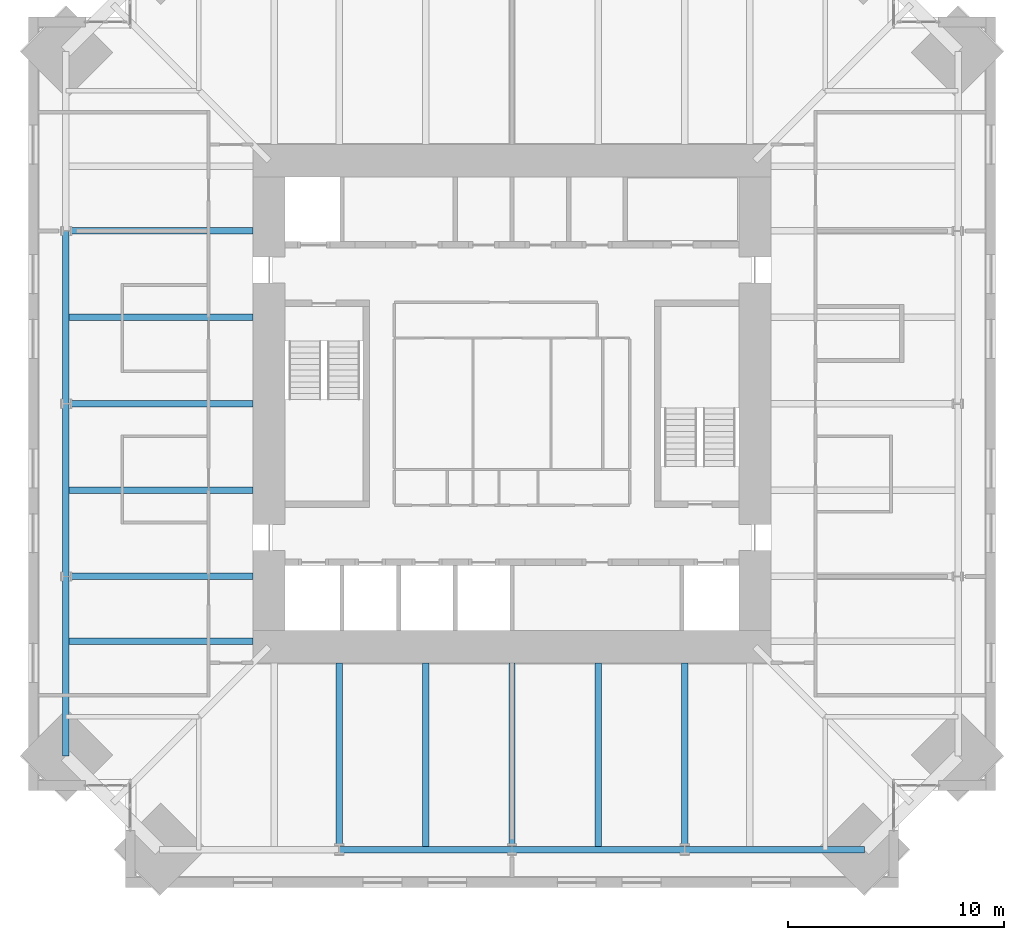
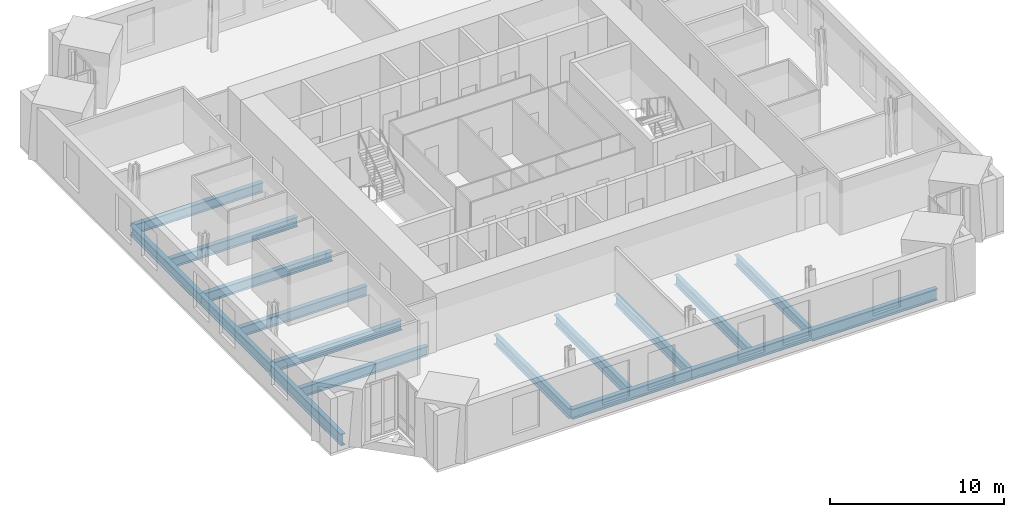
# One storey, part 3 of 17: 17 beams.
"""IFC4 building model written with IfcOpenShell, lengths in metres."""

import ifcopenshell
import ifcopenshell.guid

model = None  # the IFC model being written
_history = None  # IfcOwnerHistory: only IFC2X3 demands one
_inside = {}  # id of a spatial element -> (the spatial element, [elements in it])
_under = {}  # id of a project, library or spatial element -> (it, [spatial elements below it])
_declared = {}  # id of a project -> (the project, [libraries it declares])
_typed = {}  # id of a type object -> (the type object, [elements of that type])
_made_of = {}  # id of a material, layer set ... -> (it, [elements and type objects made of it])


def new_model(schema):
    """Start an empty IFC model of exactly this schema.

    Asked for "IFC4X3", IfcOpenShell would pick the latest addendum, in which some entities
    have other attributes; the version numbers below select the first issue.
    IFC2X3 requires an IfcOwnerHistory on every rooted entity: one is made here for all.
    """
    global model, _history
    if schema == "IFC4X3":
        model = ifcopenshell.file(schema_version=(4, 3, 0, 0))
    else:
        model = ifcopenshell.file(schema=schema)
    _inside.clear()
    _under.clear()
    _declared.clear()
    _typed.clear()
    _made_of.clear()
    _history = None
    if model.schema == "IFC2X3":
        org = make("IfcOrganization", Name="unknown")
        user = make(
            "IfcPersonAndOrganization",
            ThePerson=make("IfcPerson", FamilyName="unknown"),
            TheOrganization=org,
        )
        app = make(
            "IfcApplication",
            ApplicationDeveloper=org,
            Version="unknown",
            ApplicationFullName="unknown",
            ApplicationIdentifier="unknown",
        )
        _history = make(
            "IfcOwnerHistory",
            OwningUser=user,
            OwningApplication=app,
            ChangeAction="ADDED",
            CreationDate=0,
        )
    return model


def make(cls, **values):
    """One entity of the class cls with the attributes given. An attribute that is None is left unset."""
    return model.create_entity(
        cls, **{name: value for name, value in values.items() if value is not None}
    )


def rooted(cls, **values):
    """An entity with a GlobalId (a new one), such as an element, a storey or a relation."""
    return make(cls, GlobalId=ifcopenshell.guid.new(), OwnerHistory=_history, **values)


def si_unit(unit_type, name, prefix=None):
    """IfcSIUnit, for example si_unit("LENGTHUNIT", "METRE", prefix="MILLI")."""
    return make("IfcSIUnit", UnitType=unit_type, Prefix=prefix, Name=name)


def assignment(units):
    """IfcUnitAssignment: the units of a project."""
    return None if units is None else make("IfcUnitAssignment", Units=units)


def point(xyz):
    """IfcCartesianPoint."""
    return None if xyz is None else make("IfcCartesianPoint", Coordinates=xyz)


def direction(xyz):
    """IfcDirection."""
    return None if xyz is None else make("IfcDirection", DirectionRatios=xyz)


def frame(location, z_axis=None, x_axis=None):
    """IfcAxis2Placement3D, a coordinate frame: its origin and axes. An axis left out is left unset."""
    return make(
        "IfcAxis2Placement3D",
        Location=point(location),
        Axis=direction(z_axis),
        RefDirection=direction(x_axis),
    )


def frame_2d(location, x_axis=None):
    """IfcAxis2Placement2D, a coordinate frame in the plane: its origin and x axis."""
    return make(
        "IfcAxis2Placement2D", Location=point(location), RefDirection=direction(x_axis)
    )


def origin():
    """The frame at (0, 0, 0) with its axes left unset."""
    return frame((0.0, 0.0, 0.0))


def origin_2d():
    """The frame at (0, 0) in the plane with its x axis left unset."""
    return frame_2d((0.0, 0.0))


def place(relative_to, where):
    """IfcLocalPlacement: puts the frame where relative to a parent placement (None: the world)."""
    return make(
        "IfcLocalPlacement", PlacementRelTo=relative_to, RelativePlacement=where
    )


def context(
    kind, dimensions, precision=None, world=None, true_north=None, identifier=None
):
    """IfcGeometricRepresentationContext, for example the 3D "Model" context."""
    return make(
        "IfcGeometricRepresentationContext",
        ContextIdentifier=identifier,
        ContextType=kind,
        CoordinateSpaceDimension=dimensions,
        Precision=precision,
        WorldCoordinateSystem=world,
        TrueNorth=true_north,
    )


def subcontext(parent, identifier, kind, view, scale=None):
    """IfcGeometricRepresentationSubContext, for example "Body" below "Model"."""
    return make(
        "IfcGeometricRepresentationSubContext",
        ContextIdentifier=identifier,
        ContextType=kind,
        ParentContext=parent,
        TargetScale=scale,
        TargetView=view,
    )


def project(units=None, contexts=None):
    """IfcProject with its units and contexts."""
    return rooted(
        "IfcProject",
        Name="project",
        RepresentationContexts=contexts,
        UnitsInContext=assignment(units),
    )


def spatial(cls, under=None, at=None, **own):
    """A site, building, storey or space (cls), placed at a placement, below another one or the project."""
    s = rooted(cls, ObjectPlacement=at, **own)
    if under is not None:
        _under.setdefault(under.id(), (under, []))[1].append(s)
    return s


def profile(cls, at=None, kind="AREA", **sizes):
    """A parametric profile (cls). Its sizes go by their IFC names, for example OverallWidth=200.0."""
    return make(cls, ProfileType=kind, Position=at, **sizes)


def i_section(**sizes):
    """IfcIShapeProfileDef."""
    return profile("IfcIShapeProfileDef", **sizes)


def extrude(swept, where, along, depth):
    """IfcExtrudedAreaSolid: the profile swept, set in the frame where, extruded along a direction by depth."""
    return make(
        "IfcExtrudedAreaSolid",
        SweptArea=swept,
        Position=where,
        ExtrudedDirection=direction(along),
        Depth=depth,
    )


def shape(context_of_items, identifier, shape_type, items):
    """IfcShapeRepresentation: the items that make up one representation, for example the "Body"."""
    return make(
        "IfcShapeRepresentation",
        ContextOfItems=context_of_items,
        RepresentationIdentifier=identifier,
        RepresentationType=shape_type,
        Items=items,
    )


def material(Name=None, Category=None):
    """IfcMaterial."""
    return make("IfcMaterial", Name=Name, Category=Category)


def material_profile(
    of_material, cross_section, Name=None, Category=None, Priority=None
):
    """IfcMaterialProfile: a cross section and its material."""
    return make(
        "IfcMaterialProfile",
        Name=Name,
        Material=of_material,
        Profile=cross_section,
        Priority=Priority,
        Category=Category,
    )


def profile_set(profiles, Name=None, composite=None):
    """IfcMaterialProfileSet."""
    return make(
        "IfcMaterialProfileSet",
        Name=Name,
        MaterialProfiles=profiles,
        CompositeProfile=composite,
    )


def made_of(thing, what):
    """Note that an element or type object is made of a material, layer set ...; save() writes the relation."""
    if what is not None:
        _made_of.setdefault(what.id(), (what, []))[1].append(thing)
    return thing


def type_object(cls, material=None, **own):
    """A type object (cls), such as IfcWallType, which elements share."""
    return made_of(rooted(cls, **own), material)


def element(
    cls,
    number,
    at=None,
    inside=None,
    cuts=None,
    type_object=None,
    material=None,
    context=None,
    identifier="Body",
    shape_type=None,
    held_by="IfcProductDefinitionShape",
    body=None,
    shapes=None,
    **own,
):
    """One element of the class cls, such as IfcWall. Its Tag is "e" and its number.

    at: its placement. inside: the storey or other place that contains it. cuts: it is an
    opening in that element (IfcRelVoidsElement). A single representation is given by context,
    identifier, shape_type and body (its items); several are given by shapes. held_by: the class
    of the entity that holds the representations. save() writes the other relations.
    """
    e = rooted(cls, Tag="e%d" % number, ObjectPlacement=at, **own)
    if body is not None:
        shapes = [shape(context, identifier, shape_type, body)]
    if shapes is not None:
        e.Representation = make(held_by, Representations=shapes)
    if inside is not None:
        _inside.setdefault(inside.id(), (inside, []))[1].append(e)
    if cuts is not None:
        rooted(
            "IfcRelVoidsElement", RelatingBuildingElement=cuts, RelatedOpeningElement=e
        )
    if type_object is not None:
        _typed.setdefault(type_object.id(), (type_object, []))[1].append(e)
    return made_of(e, material)


def aggregate(whole, parts):
    """IfcRelAggregates: a whole, such as a stair, and the parts it consists of."""
    return rooted("IfcRelAggregates", RelatingObject=whole, RelatedObjects=parts)


def save(model, path):
    """Write the relations noted so far, then the file.

    IfcRelAggregates (storeys below a building ...), IfcRelContainedInSpatialStructure (elements
    in a storey), IfcRelDefinesByType, IfcRelAssociatesMaterial and IfcRelDeclares: one each for
    every whole, place, type object, material and project.
    """
    for whole, parts in _under.values():
        aggregate(whole, parts)
    for where, things in _inside.values():
        rooted(
            "IfcRelContainedInSpatialStructure",
            RelatedElements=things,
            RelatingStructure=where,
        )
    for kind, things in _typed.values():
        rooted("IfcRelDefinesByType", RelatedObjects=things, RelatingType=kind)
    for what, things in _made_of.values():
        rooted("IfcRelAssociatesMaterial", RelatedObjects=things, RelatingMaterial=what)
    for by, libraries in _declared.values():
        rooted("IfcRelDeclares", RelatingContext=by, RelatedDefinitions=libraries)
    model.write(path)


model = new_model("IFC4")

# Units and contexts
model_context = context("Model", 3, precision=1e-05, world=origin(), true_north=direction((0.0, 1.0)))
body_context = subcontext(model_context, "Body", "Model", "MODEL_VIEW")
ifc_project = project(units=[si_unit("LENGTHUNIT", "METRE"), si_unit("AREAUNIT", "SQUARE_METRE"), si_unit("VOLUMEUNIT", "CUBIC_METRE"), si_unit("PLANEANGLEUNIT", "RADIAN"), si_unit("MASSUNIT", "GRAM", prefix="KILO")], contexts=[model_context])

# Site, building, storey
site_placement = place(None, origin())
site = spatial("IfcSite", under=ifc_project, at=site_placement, CompositionType="ELEMENT")
building_placement = place(site_placement, origin())
building = spatial("IfcBuilding", under=site, at=building_placement, Name="Peilmerk Tower", CompositionType="ELEMENT")
storey_placement = place(building_placement, frame((0.0, 0.0, 253.800048828125)))
storey = spatial("IfcBuildingStorey", under=building, at=storey_placement, Name="L56", CompositionType="ELEMENT", Elevation=253.800048828125)

# Beams
ifc_material = material(Name="Steel S355", Category="steel")
ifc_material_profile_1 = material_profile(ifc_material, i_section(OverallWidth=0.302978515625, OverallDepth=0.81396484375, WebThickness=0.02099609375, FlangeThickness=0.0400390625, at=origin_2d()), Name="HEM 800")
ifc_profile_set_1 = profile_set([ifc_material_profile_1], Name="Steel S355")
beam_type_1 = type_object("IfcBeamType", Name="B15 HEM 800 edge beam", PredefinedType="SPANDREL", material=ifc_profile_set_1)
for number, where, z_axis, x_axis, name in (
    (1, (8.0, -20.662841796875, -0.5771484375), (1.0, 0.0, 0.0), (0.0, 1.0, 0.0), "Edge beam L56"),
    (2, (-20.662841796875, -8.0, -0.5771484375), (0.0, -1.0, 0.0), (1.0, 0.0, 0.0), "Edge beam L56"),
):
    element("IfcBeam", number, at=place(storey_placement, frame(where, z_axis=z_axis, x_axis=x_axis)), inside=storey, type_object=beam_type_1, Name=name, PredefinedType="SPANDREL", context=body_context, shape_type="SweptSolid", body=[
        extrude(i_section(OverallWidth=0.302978515625, OverallDepth=0.81396484375, WebThickness=0.02099609375, FlangeThickness=0.0400390625, at=origin_2d()), origin(), (0.0, 0.0, 1.0), 8.31298828125),
    ])
ifc_material_profile_2 = material_profile(ifc_material, i_section(OverallWidth=0.300048828125, OverallDepth=0.68994140625, WebThickness=0.014404296875, FlangeThickness=0.027099609375, at=origin_2d()), Name="HEA 700")
ifc_profile_set_2 = profile_set([ifc_material_profile_2], Name="Steel S355")
beam_type_2 = type_object("IfcBeamType", Name="B16 HEA 700 floor beam", PredefinedType="BEAM", material=ifc_profile_set_2)
for number, where, z_axis, x_axis, name in (
    (3, (-8.0, -12.0, -0.51513671875), (0.0, -1.0, 0.0), (1.0, 0.0, 0.0), "Floor beam L56"),
    (4, (-4.0, -12.0, -0.51513671875), (0.0, -1.0, 0.0), (1.0, 0.0, 0.0), "Floor beam L56"),
    (5, (0.0, -12.0, -0.51513671875), (0.0, -1.0, 0.0), (1.0, 0.0, 0.0), "Floor beam L56"),
    (6, (4.0, -12.0, -0.51513671875), (0.0, -1.0, 0.0), (1.0, 0.0, 0.0), "Floor beam L56"),
    (7, (8.0, -12.0, -0.51513671875), (0.0, -1.0, 0.0), (1.0, 0.0, 0.0), "Floor beam L56"),
    (8, (-12.0, 8.0, -0.51513671875), (-1.0, 0.0, 0.0), (0.0, -1.0, 0.0), "Floor beam L56"),
    (9, (-12.0, 4.0, -0.51513671875), (-1.0, 0.0, 0.0), (0.0, -1.0, 0.0), "Floor beam L56"),
    (10, (-12.0, 0.0, -0.51513671875), (-1.0, 0.0, 0.0), (0.0, -1.0, 0.0), "Floor beam L56"),
    (11, (-12.0, -4.0, -0.51513671875), (-1.0, 0.0, 0.0), (0.0, -1.0, 0.0), "Floor beam L56"),
    (12, (-12.0, -8.0, -0.51513671875), (-1.0, 0.0, 0.0), (0.0, -1.0, 0.0), "Floor beam L56"),
    (13, (-12.0, -11.0, -0.51513671875), (-1.0, 0.0, 0.0), (0.0, -1.0, 0.0), "Floor beam L56"),
):
    element("IfcBeam", number, at=place(storey_placement, frame(where, z_axis=z_axis, x_axis=x_axis)), inside=storey, type_object=beam_type_2, Name=name, PredefinedType="BEAM", context=body_context, shape_type="SweptSolid", body=[
        extrude(i_section(OverallWidth=0.300048828125, OverallDepth=0.68994140625, WebThickness=0.014404296875, FlangeThickness=0.027099609375, at=origin_2d()), origin(), (0.0, 0.0, 1.0), 8.662841796875),
    ])
ifc_material_profile_3 = material_profile(ifc_material, i_section(OverallWidth=0.303955078125, OverallDepth=0.716064453125, WebThickness=0.02099609375, FlangeThickness=0.0400390625, at=origin_2d()), Name="HEM 700")
ifc_profile_set_3 = profile_set([ifc_material_profile_3], Name="Steel S355")
beam_type_3 = type_object("IfcBeamType", Name="B30 HEM 700 edge beam", PredefinedType="SPANDREL", material=ifc_profile_set_3)
for number, where, z_axis, x_axis, name in (
    (14, (-8.0, -20.662841796875, -0.528076171875), (1.0, 0.0, 0.0), (0.0, 1.0, 0.0), "Edge beam L56"),
    (15, (0.0, -20.662841796875, -0.528076171875), (1.0, 0.0, 0.0), (0.0, 1.0, 0.0), "Edge beam L56"),
    (16, (-20.662841796875, 8.0, -0.528076171875), (0.0, -1.0, 0.0), (1.0, 0.0, 0.0), "Edge beam L56"),
    (17, (-20.662841796875, 0.0, -0.528076171875), (0.0, -1.0, 0.0), (1.0, 0.0, 0.0), "Edge beam L56"),
):
    element("IfcBeam", number, at=place(storey_placement, frame(where, z_axis=z_axis, x_axis=x_axis)), inside=storey, type_object=beam_type_3, Name=name, PredefinedType="SPANDREL", context=body_context, shape_type="SweptSolid", body=[
        extrude(i_section(OverallWidth=0.303955078125, OverallDepth=0.716064453125, WebThickness=0.02099609375, FlangeThickness=0.0400390625, at=origin_2d()), origin(), (0.0, 0.0, 1.0), 8.0),
    ])

save(model, "model.ifc")
